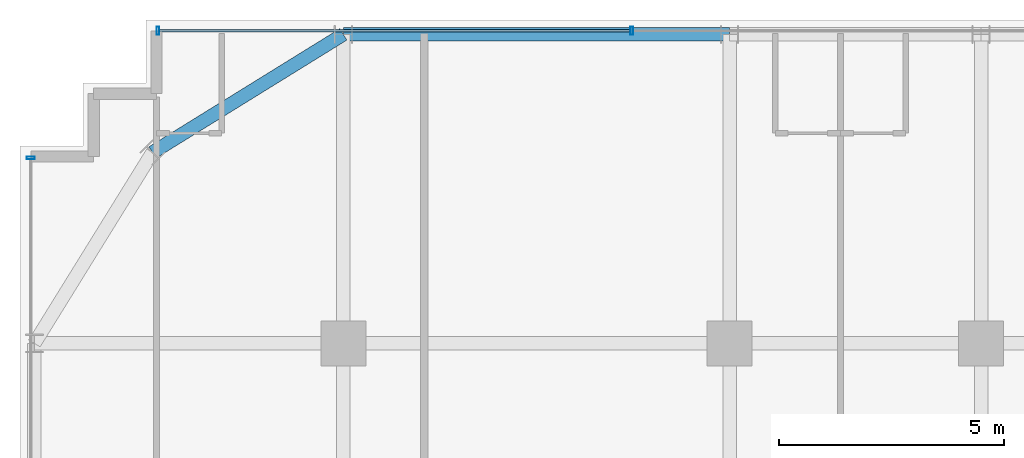
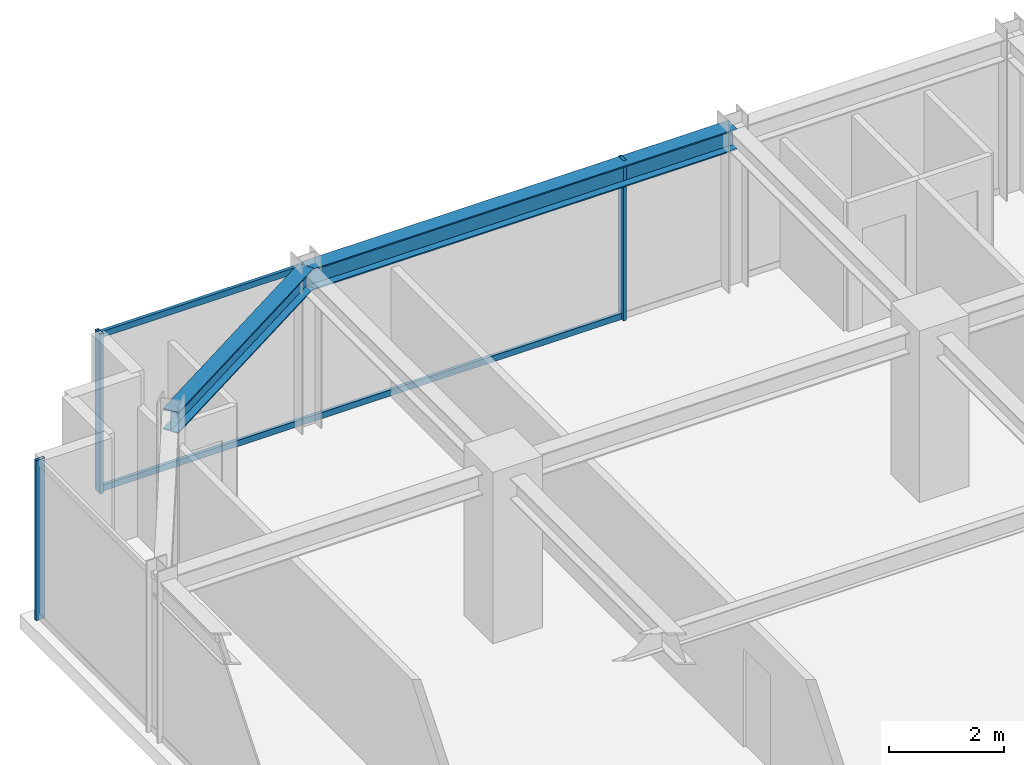
# One storey, part 20 of 34: 5 members, 2 beams, 2 elements without a shape of their own.
"""IFC4 building model written with IfcOpenShell, lengths in metres."""

from ifc_helpers import new_model, si_unit, direction, frame, origin, origin_2d, place, context, subcontext, project, spatial, hollow_rectangle, i_section, extrude, source, transform, mapped, material, material_profile, profile_set, type_object, element, aggregate, save


model = new_model("IFC4")

# Units and contexts
model_context = context("Model", 3, precision=1e-05, world=origin(), true_north=direction((0.0, 1.0)))
body_context = subcontext(model_context, "Body", "Model", "MODEL_VIEW")
ifc_project = project(units=[si_unit("LENGTHUNIT", "METRE"), si_unit("AREAUNIT", "SQUARE_METRE"), si_unit("VOLUMEUNIT", "CUBIC_METRE"), si_unit("PLANEANGLEUNIT", "RADIAN"), si_unit("MASSUNIT", "GRAM", prefix="KILO")], contexts=[model_context])

# Site, building, storey
site_placement = place(None, origin())
site = spatial("IfcSite", under=ifc_project, at=site_placement, CompositionType="ELEMENT")
building_placement = place(site_placement, origin())
building = spatial("IfcBuilding", under=site, at=building_placement, Name="Nahalor Promenade Grand Hotel", CompositionType="ELEMENT")
storey_placement = place(building_placement, frame((0.0, 0.0, 238.199951171875)))
storey = spatial("IfcBuildingStorey", under=building, at=storey_placement, Name="L61", CompositionType="ELEMENT", Elevation=238.199951171875)

# Beams
ifc_material_1 = material(Name="Steel S355JR", Category="steel")
ifc_material_profile_1 = material_profile(ifc_material_1, i_section(OverallWidth=0.3, OverallDepth=0.45, WebThickness=0.014, FlangeThickness=0.026, at=origin_2d()), Name="HEB 450")
ifc_profile_set_1 = profile_set([ifc_material_profile_1], Name="Steel S355JR")
beam_type = type_object("IfcBeamType", Name="Beam-Spandrel-HEB450", PredefinedType="SPANDREL", material=ifc_profile_set_1)
shared_shape_1 = source(origin(), body_context, "Body", "SweptSolid", [
    extrude(i_section(OverallWidth=0.3, OverallDepth=0.45, WebThickness=0.014, FlangeThickness=0.026, at=origin_2d()), origin(), (0.0, 0.0, 1.0), 8.60009765625),
])
beam_1_placement = place(storey_placement, frame((-17.0, 23.8798828125, 3.18505859375), z_axis=(1.0, 0.0, 0.0), x_axis=(0.0, 1.0, 0.0)))
element("IfcBeam", 1, at=beam_1_placement, inside=storey, type_object=beam_type, Name="BM-L61-SP-N-0", PredefinedType="SPANDREL", context=body_context, shape_type="MappedRepresentation", body=[
    mapped(shared_shape_1, transform((0.0, 0.0, 0.0), scale=1.0)),
])
shared_shape_2 = source(origin(), body_context, "Body", "SweptSolid", [
    extrude(i_section(OverallWidth=0.3, OverallDepth=0.45, WebThickness=0.014, FlangeThickness=0.026, at=origin_2d()), origin(), (0.0, 0.0, 1.0), 4.997802734375),
])
beam_2_placement = place(storey_placement, frame((-17.0, 23.8798828125, 3.18505859375), z_axis=(-0.850360908404, -0.526199891161, 0.0), x_axis=(0.526199891161, -0.850360908404, 0.0)))
element("IfcBeam", 2, at=beam_2_placement, inside=storey, type_object=beam_type, Name="BM-L61-SPC-NW-1", PredefinedType="SPANDREL", context=body_context, shape_type="MappedRepresentation", body=[
    mapped(shared_shape_2, transform((0.0, 0.0, 0.0), scale=1.0)),
])

# Curtain wall, members
ifc_material_2 = material(Name="Anodised Bronze Aluminium EN AW-6063 T6", Category="aluminium")
curtain_wall_type = type_object("IfcCurtainWallType", Name="CW2 Typical Hotel Flush Bronze Unitised Curtain Wall", PredefinedType="USERDEFINED", material=ifc_material_2)
curtain_wall_1_placement = place(storey_placement, origin())
curtain_wall_1 = element("IfcCurtainWall", 3, at=curtain_wall_1_placement, inside=storey, type_object=curtain_wall_type, Name="L61 Curtain Wall CW-L61-N-1", ObjectType="UNITISED_CURTAIN_WALL", PredefinedType="USERDEFINED")
ifc_material_profile_2 = material_profile(ifc_material_2, hollow_rectangle(XDim=0.065, YDim=0.18, WallThickness=0.004, at=origin_2d()), Name="CWM 65x180x4")
ifc_profile_set_2 = profile_set([ifc_material_profile_2], Name="Anodised Bronze Aluminium EN AW-6063 T6")
member_type_1 = type_object("IfcMemberType", Name="CWM2 Typical Bronze Mullion 65x180", PredefinedType="MULLION", material=ifc_profile_set_2)
shared_shape_3 = source(origin(), body_context, "Body", "SweptSolid", [
    extrude(hollow_rectangle(XDim=0.065, YDim=0.18, WallThickness=0.004, at=origin_2d()), origin(), (0.0, 0.0, 1.0), 3.41015625),
])
member_1_placement = place(storey_placement, frame((-21.12744140625, 23.9599609375, 0.0), z_axis=(0.0, 0.0, 1.0), x_axis=(1.0, 0.0, 0.0)))
member_1 = element("IfcMember", 4, at=member_1_placement, type_object=member_type_1, Name="CW-L61-N-1 Mullion 0", PredefinedType="MULLION", context=body_context, shape_type="MappedRepresentation", body=[
    mapped(shared_shape_3, transform((0.0, 0.0, 0.0), scale=1.0)),
])
member_2_placement = place(storey_placement, frame((-10.580078125, 23.9599609375, 0.0), z_axis=(0.0, 0.0, 1.0), x_axis=(1.0, 0.0, 0.0)))
member_2 = element("IfcMember", 5, at=member_2_placement, type_object=member_type_1, Name="CW-L61-N-1 Mullion 1", PredefinedType="MULLION", context=body_context, shape_type="MappedRepresentation", body=[
    mapped(shared_shape_3, transform((0.0, 0.0, 0.0), scale=1.0)),
])

# Curtain wall, member
curtain_wall_2_placement = place(storey_placement, origin())
curtain_wall_2 = element("IfcCurtainWall", 6, at=curtain_wall_2_placement, inside=storey, type_object=curtain_wall_type, Name="L61 Curtain Wall CW-L61-W-1", ObjectType="UNITISED_CURTAIN_WALL", PredefinedType="USERDEFINED")
member_3_placement = place(storey_placement, frame((-23.9599609375, 21.12744140625, 0.0), z_axis=(0.0, 0.0, 1.0), x_axis=(0.0, 1.0, 0.0)))
member_3 = element("IfcMember", 7, at=member_3_placement, type_object=member_type_1, Name="CW-L61-W-1 Mullion 4", PredefinedType="MULLION", context=body_context, shape_type="MappedRepresentation", body=[
    mapped(shared_shape_3, transform((0.0, 0.0, 0.0), scale=1.0)),
])
aggregate(curtain_wall_2, [member_3])

# Member
ifc_material_profile_3 = material_profile(ifc_material_2, hollow_rectangle(XDim=0.065, YDim=0.13, WallThickness=0.004, at=origin_2d()), Name="CWT 65x130x4")
ifc_profile_set_3 = profile_set([ifc_material_profile_3], Name="Anodised Bronze Aluminium EN AW-6063 T6")
member_type_2 = type_object("IfcMemberType", Name="CWT2 Typical Bronze Transom 65x130", PredefinedType="USERDEFINED", material=ifc_profile_set_3)
shared_shape_4 = source(origin(), body_context, "Body", "SweptSolid", [
    extrude(hollow_rectangle(XDim=0.065, YDim=0.13, WallThickness=0.004, at=origin_2d()), origin(), (0.0, 0.0, 1.0), 10.482421875),
])
member_4_placement = place(storey_placement, frame((-21.094970703125, 23.9599609375, 0.06494140625), z_axis=(1.0, 0.0, 0.0), x_axis=(0.0, 1.0, 0.0)))
member_4 = element("IfcMember", 8, at=member_4_placement, type_object=member_type_2, Name="CW-L61-N-1 Transom 0-0", ObjectType="TRANSOM", PredefinedType="USERDEFINED", context=body_context, shape_type="MappedRepresentation", body=[
    mapped(shared_shape_4, transform((0.0, 0.0, 0.0), scale=1.0)),
])

member_5_placement = place(storey_placement, frame((-21.094970703125, 23.9599609375, 3.344970703125), z_axis=(1.0, 0.0, 0.0), x_axis=(0.0, 1.0, 0.0)))
member_5 = element("IfcMember", 9, at=member_5_placement, type_object=member_type_2, Name="CW-L61-N-1 Transom 0-1", ObjectType="TRANSOM", PredefinedType="USERDEFINED", context=body_context, shape_type="MappedRepresentation", body=[
    mapped(shared_shape_4, transform((0.0, 0.0, 0.0), scale=1.0)),
])

aggregate(curtain_wall_1, [member_1, member_2, member_4, member_5])

save(model, "model.ifc")
